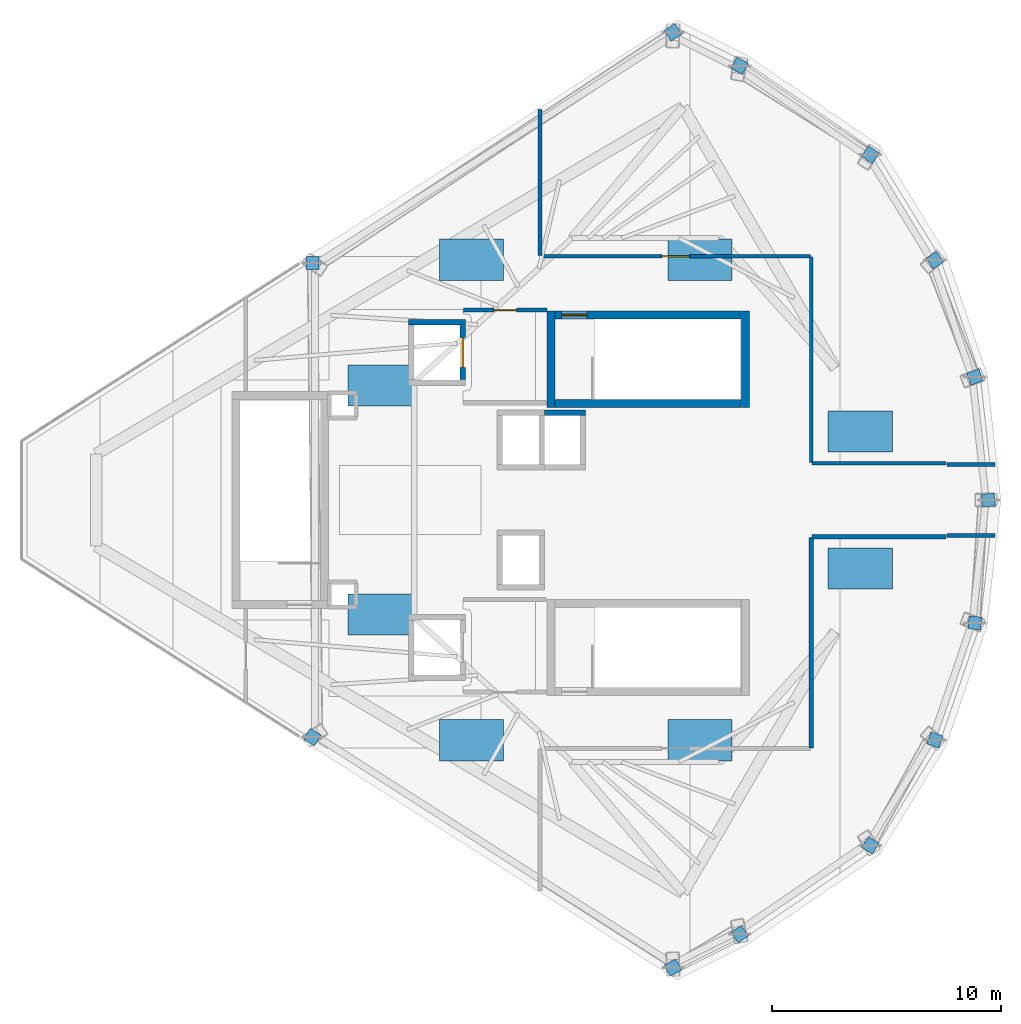
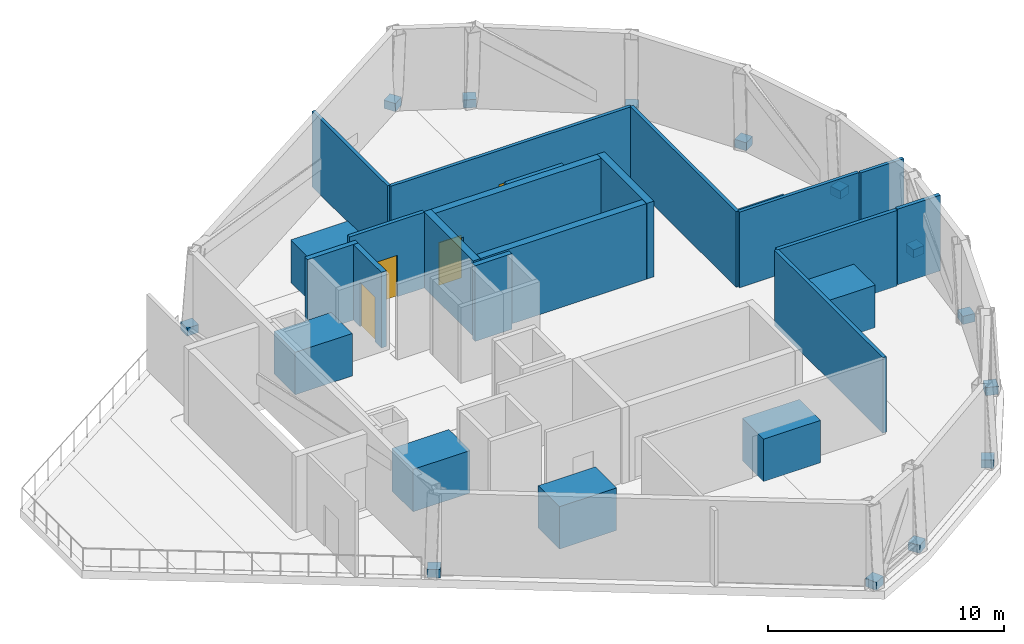
# One storey, part 3 of 4: 21 discrete accessories, 16 walls, 4 doors, 4 openings.
"""IFC4 building model written with IfcOpenShell, lengths in metres."""

from ifc_helpers import new_model, si_unit, direction, frame, frame_2d, origin, origin_2d, place, context, subcontext, project, spatial, rectangle, extrude, material, layer, layer_set, type_object, element, fill, save


model = new_model("IFC4")

# Units and contexts
model_context = context("Model", 3, precision=1e-05, world=origin(), true_north=direction((0.0, 1.0)))
body_context = subcontext(model_context, "Body", "Model", "MODEL_VIEW")
ifc_project = project(units=[si_unit("LENGTHUNIT", "METRE"), si_unit("AREAUNIT", "SQUARE_METRE"), si_unit("VOLUMEUNIT", "CUBIC_METRE"), si_unit("PLANEANGLEUNIT", "RADIAN"), si_unit("MASSUNIT", "GRAM", prefix="KILO")], contexts=[model_context])

# Site, building, storey
site_placement = place(None, origin())
site = spatial("IfcSite", under=ifc_project, at=site_placement, CompositionType="ELEMENT")
building_placement = place(site_placement, origin())
building = spatial("IfcBuilding", under=site, at=building_placement, Name="Qorvath Tower", CompositionType="ELEMENT")
storey_placement = place(building_placement, frame((0.0, 0.0, 327.0)))
storey = spatial("IfcBuildingStorey", under=building, at=storey_placement, Name="L76", CompositionType="ELEMENT", Elevation=327.0)

# Wall, opening, door
ifc_material_1 = material(Name="Gypsum shaftliner on steel studs", Category="steel")
ifc_layer_1 = layer(ifc_material_1, 0.179931640625)
ifc_layer_set_1 = layer_set([ifc_layer_1], Name="FW-LOBBY")
wall_type_1 = type_object("IfcWallType", Name="FW-LOBBY", PredefinedType="PARTITIONING", material=ifc_layer_set_1)
wall_1_placement = place(storey_placement, frame((-24.68408203125, 8.300048828125, 0.0), z_axis=(0.0, 0.0, 1.0), x_axis=(-1.0, 0.0, 0.0)))
wall_1 = element("IfcWall", 1, at=wall_1_placement, inside=storey, type_object=wall_type_1, Name="Interior Partition IW-T1-L76-002", PredefinedType="PARTITIONING", context=body_context, shape_type="SweptSolid", body=[
    extrude(rectangle(XDim=3.6708984375, YDim=0.179931640625, at=frame_2d((1.83544921875, 0.0))), origin(), (0.0, 0.0, 1.0), 3.919921875),
])
opening_1_placement = place(wall_1_placement, frame((1.33544921875, 0.0, 0.0)))
opening_1 = element("IfcOpeningElement", 2, at=opening_1_placement, cuts=wall_1, Name="Opening D-T1-L76-04", PredefinedType="OPENING", context=body_context, shape_type="SweptSolid", body=[
    extrude(rectangle(XDim=1.0, YDim=2.14990234375, at=frame_2d((0.5, 1.074951171875))), frame((0.0, 0.10009765625, 0.0), z_axis=(0.0, -1.0, 0.0), x_axis=(1.0, 0.0, 0.0)), (0.0, 0.0, 1.0), 0.199951171875),
])
ifc_material_2 = material(Name="Painted galvanised hollow metal", Category="steel")
door_type_1 = type_object("IfcDoorType", Name="FD-60", OperationType="NOTDEFINED", PredefinedType="DOOR", material=ifc_material_2)
door_1_placement = place(opening_1_placement, origin())
door_1 = element("IfcDoor", 3, at=door_1_placement, inside=storey, type_object=door_type_1, Name="Lobby Fire Service Elevator North Door D-T1-L76-04", OperationType="SINGLE_SWING_RIGHT", OverallHeight=2.14990234375, OverallWidth=1.0, PredefinedType="DOOR", context=body_context, shape_type="SweptSolid", body=[
    extrude(rectangle(XDim=1.0, YDim=2.14990234375, at=frame_2d((0.5, 1.074951171875))), frame((0.0, 0.02490234375, 0.0), z_axis=(0.0, -1.0, 0.0), x_axis=(1.0, 0.0, 0.0)), (0.0, 0.0, 1.0), 0.050048828125),
])
fill(opening_1, door_1)

# Walls
wall_2_placement = place(storey_placement, frame((-5.101318359375, -1.550048828125, 0.0), z_axis=(0.0, 0.0, 1.0), x_axis=(-1.0, 0.0, 0.0)))
element("IfcWall", 4, at=wall_2_placement, inside=storey, type_object=wall_type_1, Name="Interior Partition IW-T1-L76-012", PredefinedType="PARTITIONING", context=body_context, shape_type="SweptSolid", body=[
    extrude(rectangle(XDim=2.100341796875, YDim=0.179931640625, at=frame_2d((1.05029296875, 0.0))), origin(), (0.0, 0.0, 1.0), 3.919921875),
])
wall_3_placement = place(storey_placement, frame((-7.2578125, -1.60791015625, 0.0), z_axis=(0.0, 0.0, 1.0), x_axis=(-1.0, 0.0, 0.0)))
element("IfcWall", 5, at=wall_3_placement, inside=storey, type_object=wall_type_1, Name="Interior Partition IW-T1-L76-013", PredefinedType="PARTITIONING", context=body_context, shape_type="SweptSolid", body=[
    extrude(rectangle(XDim=5.859375, YDim=0.179931640625, at=frame_2d((2.9296875, 0.0))), origin(), (0.0, 0.0, 1.0), 3.919921875),
])
wall_4_placement = place(storey_placement, frame((-13.14208984375, -10.8330078125, 0.0), z_axis=(0.0, 0.0, 1.0), x_axis=(0.0, 1.0, 0.0)))
element("IfcWall", 6, at=wall_4_placement, inside=storey, type_object=wall_type_1, Name="Interior Partition IW-T1-L76-014", PredefinedType="PARTITIONING", context=body_context, shape_type="SweptSolid", body=[
    extrude(rectangle(XDim=9.2001953125, YDim=0.179931640625, at=frame_2d((4.60009765625, 0.0))), origin(), (0.0, 0.0, 1.0), 3.919921875),
])
ifc_material_3 = material(Name="Double acoustic gypsum board on steel studs", Category="steel")
ifc_layer_2 = layer(ifc_material_3, 0.159912109375)
ifc_layer_set_2 = layer_set([ifc_layer_2], Name="IW-ACOUSTIC-160")
wall_type_2 = type_object("IfcWallType", Name="IW-ACOUSTIC-160", PredefinedType="PARTITIONING", material=ifc_layer_set_2)
wall_5_placement = place(storey_placement, frame((-25.0, 17.072509765625, 0.0), z_axis=(0.0, 0.0, 1.0), x_axis=(0.0, -1.0, 0.0)))
element("IfcWall", 7, at=wall_5_placement, inside=storey, type_object=wall_type_2, Name="Interior Partition IW-T1-L76-007", PredefinedType="PARTITIONING", context=body_context, shape_type="SweptSolid", body=[
    extrude(rectangle(XDim=6.389404296875, YDim=0.159912109375, at=frame_2d((3.19482421875, 0.0))), origin(), (0.0, 0.0, 1.0), 3.919921875),
])

# Wall, opening, door
wall_6_placement = place(storey_placement, frame((-24.97509765625, 10.657958984375, 0.0), z_axis=(0.0, 0.0, 1.0), x_axis=(1.0, 0.0, 0.0)))
wall_6 = element("IfcWall", 8, at=wall_6_placement, inside=storey, type_object=wall_type_2, Name="Interior Partition IW-T1-L76-008", PredefinedType="PARTITIONING", context=body_context, shape_type="SweptSolid", body=[
    extrude(rectangle(XDim=11.80810546875, YDim=0.159912109375, at=frame_2d((5.904052734375, 0.0))), origin(), (0.0, 0.0, 1.0), 3.919921875),
])
opening_2_placement = place(wall_6_placement, frame((5.303955078125, 0.0, 0.0)))
opening_2 = element("IfcOpeningElement", 9, at=opening_2_placement, cuts=wall_6, Name="Opening D-T1-L76-02", PredefinedType="OPENING", context=body_context, shape_type="SweptSolid", body=[
    extrude(rectangle(XDim=1.199951171875, YDim=2.14990234375, at=frame_2d((0.60009765625, 1.074951171875))), frame((0.0, 0.08984375, 0.0), z_axis=(0.0, -1.0, 0.0), x_axis=(1.0, 0.0, 0.0)), (0.0, 0.0, 1.0), 0.179931640625),
])
ifc_material_4 = material(Name="Painted hollow steel utility leaf", Category="steel")
door_type_2 = type_object("IfcDoorType", Name="D-05", OperationType="NOTDEFINED", PredefinedType="DOOR", material=ifc_material_4)
door_2_placement = place(opening_2_placement, origin())
door_2 = element("IfcDoor", 10, at=door_2_placement, inside=storey, type_object=door_type_2, Name="Plant Air-Handling Room L76 Door D-T1-L76-02", OperationType="SINGLE_SWING_RIGHT", OverallHeight=2.14990234375, OverallWidth=1.199951171875, PredefinedType="DOOR", context=body_context, shape_type="SweptSolid", body=[
    extrude(rectangle(XDim=1.199951171875, YDim=2.14990234375, at=frame_2d((0.60009765625, 1.074951171875))), frame((0.0, 0.02490234375, 0.0), z_axis=(0.0, -1.0, 0.0), x_axis=(1.0, 0.0, 0.0)), (0.0, 0.0, 1.0), 0.050048828125),
])
fill(opening_2, door_2)

# Walls
wall_7_placement = place(storey_placement, frame((-13.14208984375, 1.6328125, 0.0), z_axis=(0.0, 0.0, 1.0), x_axis=(0.0, 1.0, 0.0)))
element("IfcWall", 11, at=wall_7_placement, inside=storey, type_object=wall_type_2, Name="Interior Partition IW-T1-L76-009", PredefinedType="PARTITIONING", context=body_context, shape_type="SweptSolid", body=[
    extrude(rectangle(XDim=9.000244140625, YDim=0.159912109375, at=frame_2d((4.5, 0.0))), origin(), (0.0, 0.0, 1.0), 3.919921875),
])
wall_8_placement = place(storey_placement, frame((-13.1171875, 1.60791015625, 0.0), z_axis=(0.0, 0.0, 1.0), x_axis=(1.0, 0.0, 0.0)))
element("IfcWall", 12, at=wall_8_placement, inside=storey, type_object=wall_type_2, Name="Interior Partition IW-T1-L76-010", PredefinedType="PARTITIONING", context=body_context, shape_type="SweptSolid", body=[
    extrude(rectangle(XDim=5.859375, YDim=0.159912109375, at=frame_2d((2.9296875, 0.0))), origin(), (0.0, 0.0, 1.0), 3.919921875),
])
wall_9_placement = place(storey_placement, frame((-7.20166015625, 1.550048828125, 0.0), z_axis=(0.0, 0.0, 1.0), x_axis=(1.0, 0.0, 0.0)))
element("IfcWall", 13, at=wall_9_placement, inside=storey, type_object=wall_type_2, Name="Interior Partition IW-T1-L76-011", PredefinedType="PARTITIONING", context=body_context, shape_type="SweptSolid", body=[
    extrude(rectangle(XDim=2.100341796875, YDim=0.159912109375, at=frame_2d((1.05029296875, 0.0))), origin(), (0.0, 0.0, 1.0), 3.919921875),
])
ifc_material_5 = material(Name="Concrete C60/75", Category="concrete")
ifc_layer_3 = layer(ifc_material_5, 0.260009765625)
ifc_layer_set_3 = layer_set([ifc_layer_3], Name="SW-SHAFT")
wall_type_3 = type_object("IfcWallType", Name="SW-SHAFT", PredefinedType="SHEAR", material=ifc_layer_set_3)
wall_10_placement = place(storey_placement, frame((-30.739990234375, 7.77001953125, 0.0), z_axis=(0.0, 0.0, 1.0), x_axis=(1.0, 0.0, 0.0)))
element("IfcWall", 14, at=wall_10_placement, inside=storey, type_object=wall_type_3, Name="Hoistway Wall FSAE-1 L76 N", PredefinedType="SHEAR", context=body_context, shape_type="SweptSolid", body=[
    extrude(rectangle(XDim=2.47998046875, YDim=0.239990234375, at=frame_2d((1.239990234375, 0.0))), origin(), (0.0, 0.0, 1.0), 3.919921875),
])

# Wall, opening, door
wall_11_placement = place(storey_placement, frame((-28.3798828125, 7.637939453125, 0.0), z_axis=(0.0, 0.0, 1.0), x_axis=(0.0, -1.0, 0.0)))
wall_11 = element("IfcWall", 15, at=wall_11_placement, inside=storey, type_object=wall_type_3, Name="Hoistway Wall FSAE-1 L76 E", PredefinedType="SHEAR", context=body_context, shape_type="SweptSolid", body=[
    extrude(rectangle(XDim=2.3759765625, YDim=0.239990234375, at=frame_2d((1.18798828125, 0.0))), origin(), (0.0, 0.0, 1.0), 3.919921875),
])
opening_3_placement = place(wall_11_placement, frame((0.537841796875, 0.0, 0.0)))
opening_3 = element("IfcOpeningElement", 16, at=opening_3_placement, cuts=wall_11, Name="Opening LD-FSAE-1-L76", PredefinedType="OPENING", context=body_context, shape_type="SweptSolid", body=[
    extrude(rectangle(XDim=1.300048828125, YDim=2.300048828125, at=frame_2d((0.64990234375, 1.14990234375))), frame((0.0, 0.1298828125, 0.0), z_axis=(0.0, -1.0, 0.0), x_axis=(1.0, 0.0, 0.0)), (0.0, 0.0, 1.0), 0.260009765625),
])
ifc_material_6 = material(Name="Brushed stainless steel AISI 316", Category="steel")
door_type_3 = type_object("IfcDoorType", Name="LD-02", OperationType="NOTDEFINED", PredefinedType="DOOR", material=ifc_material_6)
door_3_placement = place(opening_3_placement, origin())
door_3 = element("IfcDoor", 17, at=door_3_placement, inside=storey, type_object=door_type_3, Name="Elevator Landing Sliding Door LD-FSAE-1-L76", OperationType="DOUBLE_DOOR_SLIDING", OverallHeight=2.300048828125, OverallWidth=1.300048828125, PredefinedType="DOOR", context=body_context, shape_type="SweptSolid", body=[
    extrude(rectangle(XDim=1.300048828125, YDim=2.300048828125, at=frame_2d((0.64990234375, 1.14990234375))), frame((0.0, 0.02490234375, 0.0), z_axis=(0.0, -1.0, 0.0), x_axis=(1.0, 0.0, 0.0)), (0.0, 0.0, 1.0), 0.050048828125),
])
fill(opening_3, door_3)

# Walls
wall_12_placement = place(storey_placement, frame((-24.81005859375, 3.820068359375, 0.0), z_axis=(0.0, 0.0, 1.0), x_axis=(1.0, 0.0, 0.0)))
element("IfcWall", 18, at=wall_12_placement, inside=storey, type_object=wall_type_3, Name="Hoistway Wall PH-2 L76 N", PredefinedType="SHEAR", context=body_context, shape_type="SweptSolid", body=[
    extrude(rectangle(XDim=1.800048828125, YDim=0.239990234375, at=frame_2d((0.89990234375, 0.0))), origin(), (0.0, 0.0, 1.0), 3.919921875),
])
ifc_material_7 = material(Name="Concrete C60/75", Category="concrete")
ifc_layer_4 = layer(ifc_material_7, 0.35009765625)
ifc_layer_set_4 = layer_set([ifc_layer_4], Name="SW-STAIR")
wall_type_4 = type_object("IfcWallType", Name="SW-STAIR", PredefinedType="SHEAR", material=ifc_layer_set_4)
for number, where, z_axis, x_axis, name in (
    (19, (-24.52490234375, 8.260009765625, 0.0), (0.0, 0.0, 1.0), (0.0, -1.0, 0.0), "Stair TS1 Shear Wall L76 NEAR"),
    (20, (-16.02490234375, 4.050048828125, 0.0), (0.0, 0.0, 1.0), (0.0, 1.0, 0.0), "Stair TS1 Shear Wall L76 FAR"),
):
    element("IfcWall", number, at=place(storey_placement, frame(where, z_axis=z_axis, x_axis=x_axis)), inside=storey, type_object=wall_type_4, Name=name, PredefinedType="SHEAR", context=body_context, shape_type="SweptSolid", body=[
        extrude(rectangle(XDim=4.2099609375, YDim=0.35009765625, at=frame_2d((2.10498046875, 0.0))), origin(), (0.0, 0.0, 1.0), 3.919921875),
    ])
wall_13_placement = place(storey_placement, frame((-24.3349609375, 4.22509765625, 0.0), z_axis=(0.0, 0.0, 1.0), x_axis=(1.0, 0.0, 0.0)))
element("IfcWall", 21, at=wall_13_placement, inside=storey, type_object=wall_type_4, Name="Stair TS1 Shear Wall L76 LEFT", PredefinedType="SHEAR", context=body_context, shape_type="SweptSolid", body=[
    extrude(rectangle(XDim=8.119873046875, YDim=0.35009765625, at=frame_2d((4.06005859375, 0.0))), origin(), (0.0, 0.0, 1.0), 3.919921875),
])

# Wall, opening, door
wall_14_placement = place(storey_placement, frame((-16.215087890625, 8.0849609375, 0.0), z_axis=(0.0, 0.0, 1.0), x_axis=(-1.0, 0.0, 0.0)))
wall_14 = element("IfcWall", 22, at=wall_14_placement, inside=storey, type_object=wall_type_4, Name="Stair TS1 Shear Wall L76 RIGHT", PredefinedType="SHEAR", context=body_context, shape_type="SweptSolid", body=[
    extrude(rectangle(XDim=8.119873046875, YDim=0.35009765625, at=frame_2d((4.06005859375, 0.0))), origin(), (0.0, 0.0, 1.0), 3.919921875),
])
opening_4_placement = place(wall_14_placement, frame((6.739990234375, 0.0, 0.0)))
opening_4 = element("IfcOpeningElement", 23, at=opening_4_placement, cuts=wall_14, Name="Opening D-TS1-L76", PredefinedType="OPENING", context=body_context, shape_type="SweptSolid", body=[
    extrude(rectangle(XDim=1.10009765625, YDim=2.199951171875, at=frame_2d((0.550048828125, 1.10009765625))), frame((0.0, 0.18505859375, 0.0), z_axis=(0.0, -1.0, 0.0), x_axis=(1.0, 0.0, 0.0)), (0.0, 0.0, 1.0), 0.3701171875),
])
ifc_material_8 = material(Name="Painted galvanised hollow metal", Category="steel")
door_type_4 = type_object("IfcDoorType", Name="FD-90", OperationType="NOTDEFINED", PredefinedType="DOOR", material=ifc_material_8)
door_4_placement = place(opening_4_placement, origin())
door_4 = element("IfcDoor", 24, at=door_4_placement, inside=storey, type_object=door_type_4, Name="Stair TS1 Fire Door L76", OperationType="SINGLE_SWING_LEFT", OverallHeight=2.199951171875, OverallWidth=1.10009765625, PredefinedType="DOOR", context=body_context, shape_type="SweptSolid", body=[
    extrude(rectangle(XDim=1.10009765625, YDim=2.199951171875, at=frame_2d((0.550048828125, 1.10009765625))), frame((0.0, 0.02490234375, 0.0), z_axis=(0.0, -1.0, 0.0), x_axis=(1.0, 0.0, 0.0)), (0.0, 0.0, 1.0), 0.050048828125),
])
fill(opening_4, door_4)

# Discrete accessories
ifc_material_9 = material(Name="Galvanised steel bracket", Category="steel")
discrete_accessory_type_1 = type_object("IfcDiscreteAccessoryType", Name="DA-BRACKET", PredefinedType="BRACKET", material=ifc_material_9)
for number, where, z_axis, x_axis, name in (
    (25, (-34.949951171875, 10.365478515625, 0.0400390625), (0.0, 0.0, 1.0), (0.0, -1.0, 0.0), "Crown Screen Mounting Bracket L76-01"),
    (26, (-34.949951171875, -10.365478515625, 0.0400390625), (0.0, 0.0, 1.0), (0.842609396732, -0.538525212537, 0.0), "Crown Screen Mounting Bracket L76-02"),
    (27, (-19.1865234375, -20.440185546875, 0.0400390625), (0.0, 0.0, 1.0), (0.894420565542, 0.44722684617, 0.0), "Crown Screen Mounting Bracket L76-03"),
    (28, (-16.2666015625, -18.980224609375, 0.0400390625), (0.0, 0.0, 1.0), (0.826661448851, 0.562699608125, 0.0), "Crown Screen Mounting Bracket L76-04"),
    (29, (-10.559814453125, -15.095703125, 0.0400390625), (0.0, 0.0, 1.0), (0.521913603686, 0.852998353039, 0.0), "Crown Screen Mounting Bracket L76-05"),
    (30, (-7.739013671875, -10.485595703125, 0.0400390625), (0.0, 0.0, 1.0), (0.323560729411, 0.946207405585, 0.0), "Crown Screen Mounting Bracket L76-06"),
    (31, (-5.990478515625, -5.371826171875, 0.0400390625), (0.0, 0.0, 1.0), (0.109569504616, 0.99397913643, 0.0), "Crown Screen Mounting Bracket L76-07"),
    (32, (-5.398193359375, 0.0, 0.0400390625), (0.0, 0.0, 1.0), (-0.109569504616, 0.99397913643, 0.0), "Crown Screen Mounting Bracket L76-08"),
    (33, (-5.990478515625, 5.371826171875, 0.0400390625), (0.0, 0.0, 1.0), (-0.323560729411, 0.946207405585, 0.0), "Crown Screen Mounting Bracket L76-09"),
    (34, (-7.739013671875, 10.485595703125, 0.0400390625), (0.0, 0.0, 1.0), (-0.521913603686, 0.852998353039, 0.0), "Crown Screen Mounting Bracket L76-10"),
    (35, (-10.559814453125, 15.095703125, 0.0400390625), (0.0, 0.0, 1.0), (-0.826661448851, 0.562699608125, 0.0), "Crown Screen Mounting Bracket L76-11"),
    (36, (-16.2666015625, 18.980224609375, 0.0400390625), (0.0, 0.0, 1.0), (-0.894420565542, 0.44722684617, 0.0), "Crown Screen Mounting Bracket L76-12"),
    (37, (-19.1865234375, 20.440185546875, 0.0400390625), (0.0, 0.0, 1.0), (-0.842609396732, -0.538525212537, 0.0), "Crown Screen Mounting Bracket L76-13"),
):
    element("IfcDiscreteAccessory", number, at=place(storey_placement, frame(where, z_axis=z_axis, x_axis=x_axis)), inside=storey, type_object=discrete_accessory_type_1, Name=name, PredefinedType="NOTDEFINED", context=body_context, shape_type="SweptSolid", body=[
        extrude(rectangle(XDim=0.56005859375, YDim=0.56005859375, at=origin_2d()), origin(), (0.0, 0.0, 1.0), 0.419921875),
    ])
ifc_material_10 = material(Name="Painted steel equipment casing", Category="steel")
discrete_accessory_type_2 = type_object("IfcDiscreteAccessoryType", Name="DA-PLANT", PredefinedType="USERDEFINED", material=ifc_material_10)
for number, where, z_axis, x_axis, name in (
    (38, (-28.0, 10.5, 0.0), (0.0, 0.0, 1.0), (1.0, 0.0, 0.0), "Crown Enclosed Cooling Plant Unit 01"),
    (39, (-18.0, 10.5, 0.0), (0.0, 0.0, 1.0), (1.0, 0.0, 0.0), "Crown Enclosed Cooling Plant Unit 02"),
    (40, (-28.0, -10.5, 0.0), (0.0, 0.0, 1.0), (1.0, 0.0, 0.0), "Crown Enclosed Cooling Plant Unit 03"),
    (41, (-18.0, -10.5, 0.0), (0.0, 0.0, 1.0), (1.0, 0.0, 0.0), "Crown Enclosed Cooling Plant Unit 04"),
    (42, (-32.0, 5.0, 0.0), (0.0, 0.0, 1.0), (1.0, 0.0, 0.0), "Crown Enclosed Cooling Plant Unit 05"),
    (43, (-32.0, -5.0, 0.0), (0.0, 0.0, 1.0), (1.0, 0.0, 0.0), "Crown Enclosed Cooling Plant Unit 06"),
    (44, (-11.0, 3.0, 0.0), (0.0, 0.0, 1.0), (1.0, 0.0, 0.0), "Crown Enclosed Cooling Plant Unit 07"),
    (45, (-11.0, -3.0, 0.0), (0.0, 0.0, 1.0), (1.0, 0.0, 0.0), "Crown Enclosed Cooling Plant Unit 08"),
):
    element("IfcDiscreteAccessory", number, at=place(storey_placement, frame(where, z_axis=z_axis, x_axis=x_axis)), inside=storey, type_object=discrete_accessory_type_2, Name=name, PredefinedType="NOTDEFINED", context=body_context, shape_type="SweptSolid", body=[
        extrude(rectangle(XDim=2.800048828125, YDim=1.800048828125, at=origin_2d()), origin(), (0.0, 0.0, 1.0), 2.199951171875),
    ])

save(model, "model.ifc")
